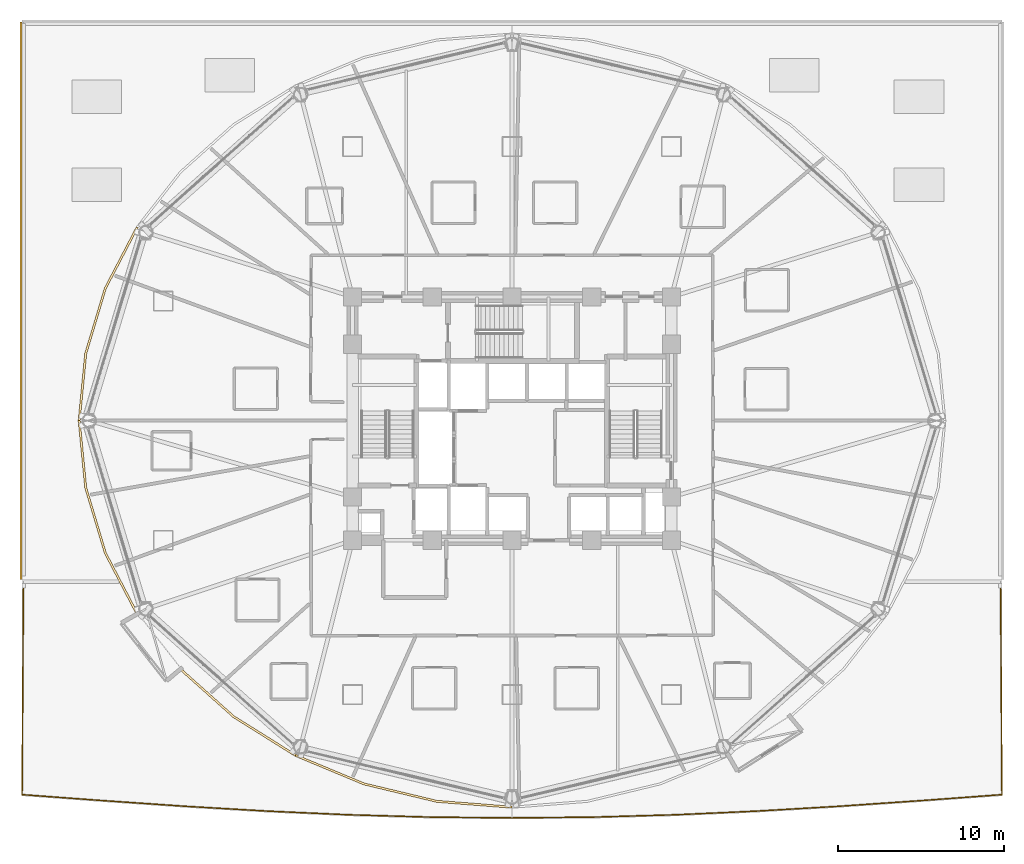
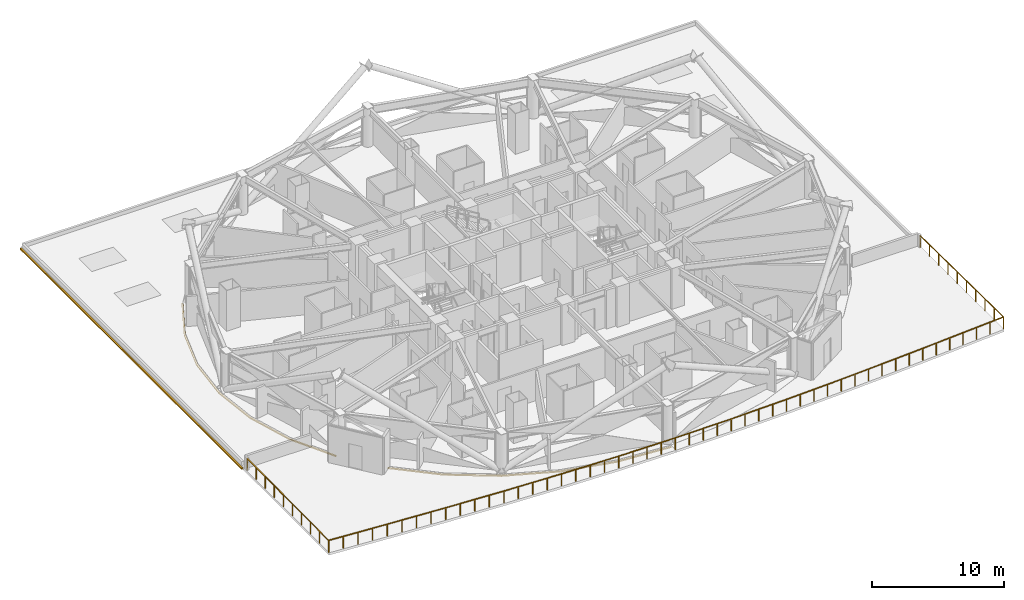
# One storey, part 24 of 27: 5 coverings, 1 railing.
"""IFC4 building model written with IfcOpenShell, lengths in metres."""

import ifcopenshell
import ifcopenshell.guid

model = None  # the IFC model being written
_history = None  # IfcOwnerHistory: only IFC2X3 demands one
_inside = {}  # id of a spatial element -> (the spatial element, [elements in it])
_under = {}  # id of a project, library or spatial element -> (it, [spatial elements below it])
_declared = {}  # id of a project -> (the project, [libraries it declares])
_typed = {}  # id of a type object -> (the type object, [elements of that type])
_made_of = {}  # id of a material, layer set ... -> (it, [elements and type objects made of it])


def new_model(schema):
    """Start an empty IFC model of exactly this schema.

    Asked for "IFC4X3", IfcOpenShell would pick the latest addendum, in which some entities
    have other attributes; the version numbers below select the first issue.
    IFC2X3 requires an IfcOwnerHistory on every rooted entity: one is made here for all.
    """
    global model, _history
    if schema == "IFC4X3":
        model = ifcopenshell.file(schema_version=(4, 3, 0, 0))
    else:
        model = ifcopenshell.file(schema=schema)
    _inside.clear()
    _under.clear()
    _declared.clear()
    _typed.clear()
    _made_of.clear()
    _history = None
    if model.schema == "IFC2X3":
        org = make("IfcOrganization", Name="unknown")
        user = make(
            "IfcPersonAndOrganization",
            ThePerson=make("IfcPerson", FamilyName="unknown"),
            TheOrganization=org,
        )
        app = make(
            "IfcApplication",
            ApplicationDeveloper=org,
            Version="unknown",
            ApplicationFullName="unknown",
            ApplicationIdentifier="unknown",
        )
        _history = make(
            "IfcOwnerHistory",
            OwningUser=user,
            OwningApplication=app,
            ChangeAction="ADDED",
            CreationDate=0,
        )
    return model


def make(cls, **values):
    """One entity of the class cls with the attributes given. An attribute that is None is left unset."""
    return model.create_entity(
        cls, **{name: value for name, value in values.items() if value is not None}
    )


def rooted(cls, **values):
    """An entity with a GlobalId (a new one), such as an element, a storey or a relation."""
    return make(cls, GlobalId=ifcopenshell.guid.new(), OwnerHistory=_history, **values)


def si_unit(unit_type, name, prefix=None):
    """IfcSIUnit, for example si_unit("LENGTHUNIT", "METRE", prefix="MILLI")."""
    return make("IfcSIUnit", UnitType=unit_type, Prefix=prefix, Name=name)


def assignment(units):
    """IfcUnitAssignment: the units of a project."""
    return None if units is None else make("IfcUnitAssignment", Units=units)


def point(xyz):
    """IfcCartesianPoint."""
    return None if xyz is None else make("IfcCartesianPoint", Coordinates=xyz)


def direction(xyz):
    """IfcDirection."""
    return None if xyz is None else make("IfcDirection", DirectionRatios=xyz)


def frame(location, z_axis=None, x_axis=None):
    """IfcAxis2Placement3D, a coordinate frame: its origin and axes. An axis left out is left unset."""
    return make(
        "IfcAxis2Placement3D",
        Location=point(location),
        Axis=direction(z_axis),
        RefDirection=direction(x_axis),
    )


def frame_2d(location, x_axis=None):
    """IfcAxis2Placement2D, a coordinate frame in the plane: its origin and x axis."""
    return make(
        "IfcAxis2Placement2D", Location=point(location), RefDirection=direction(x_axis)
    )


def origin():
    """The frame at (0, 0, 0) with its axes left unset."""
    return frame((0.0, 0.0, 0.0))


def origin_2d():
    """The frame at (0, 0) in the plane with its x axis left unset."""
    return frame_2d((0.0, 0.0))


def place(relative_to, where):
    """IfcLocalPlacement: puts the frame where relative to a parent placement (None: the world)."""
    return make(
        "IfcLocalPlacement", PlacementRelTo=relative_to, RelativePlacement=where
    )


def context(
    kind, dimensions, precision=None, world=None, true_north=None, identifier=None
):
    """IfcGeometricRepresentationContext, for example the 3D "Model" context."""
    return make(
        "IfcGeometricRepresentationContext",
        ContextIdentifier=identifier,
        ContextType=kind,
        CoordinateSpaceDimension=dimensions,
        Precision=precision,
        WorldCoordinateSystem=world,
        TrueNorth=true_north,
    )


def subcontext(parent, identifier, kind, view, scale=None):
    """IfcGeometricRepresentationSubContext, for example "Body" below "Model"."""
    return make(
        "IfcGeometricRepresentationSubContext",
        ContextIdentifier=identifier,
        ContextType=kind,
        ParentContext=parent,
        TargetScale=scale,
        TargetView=view,
    )


def project(units=None, contexts=None):
    """IfcProject with its units and contexts."""
    return rooted(
        "IfcProject",
        Name="project",
        RepresentationContexts=contexts,
        UnitsInContext=assignment(units),
    )


def spatial(cls, under=None, at=None, **own):
    """A site, building, storey or space (cls), placed at a placement, below another one or the project."""
    s = rooted(cls, ObjectPlacement=at, **own)
    if under is not None:
        _under.setdefault(under.id(), (under, []))[1].append(s)
    return s


def polyline(points):
    """IfcPolyline through the points."""
    return make("IfcPolyline", Points=[point(p) for p in points])


def profile(cls, at=None, kind="AREA", **sizes):
    """A parametric profile (cls). Its sizes go by their IFC names, for example OverallWidth=200.0."""
    return make(cls, ProfileType=kind, Position=at, **sizes)


def rectangle(**sizes):
    """IfcRectangleProfileDef."""
    return profile("IfcRectangleProfileDef", **sizes)


def outline(outer, holes=None, kind="AREA"):
    """IfcArbitraryClosedProfileDef: a profile drawn as a closed curve; with holes, ...WithVoids."""
    if holes is None:
        return make("IfcArbitraryClosedProfileDef", ProfileType=kind, OuterCurve=outer)
    return make(
        "IfcArbitraryProfileDefWithVoids",
        ProfileType=kind,
        OuterCurve=outer,
        InnerCurves=holes,
    )


def extrude(swept, where, along, depth):
    """IfcExtrudedAreaSolid: the profile swept, set in the frame where, extruded along a direction by depth."""
    return make(
        "IfcExtrudedAreaSolid",
        SweptArea=swept,
        Position=where,
        ExtrudedDirection=direction(along),
        Depth=depth,
    )


def shape(context_of_items, identifier, shape_type, items):
    """IfcShapeRepresentation: the items that make up one representation, for example the "Body"."""
    return make(
        "IfcShapeRepresentation",
        ContextOfItems=context_of_items,
        RepresentationIdentifier=identifier,
        RepresentationType=shape_type,
        Items=items,
    )


def material(Name=None, Category=None):
    """IfcMaterial."""
    return make("IfcMaterial", Name=Name, Category=Category)


def layer(
    of_material, thickness, ventilated=None, Name=None, Category=None, Priority=None
):
    """IfcMaterialLayer: one layer of a wall or slab, of a material (None: an air gap)."""
    return make(
        "IfcMaterialLayer",
        Material=of_material,
        LayerThickness=thickness,
        IsVentilated=ventilated,
        Name=Name,
        Category=Category,
        Priority=Priority,
    )


def layer_set(layers, Name=None):
    """IfcMaterialLayerSet."""
    return make("IfcMaterialLayerSet", MaterialLayers=layers, LayerSetName=Name)


def made_of(thing, what):
    """Note that an element or type object is made of a material, layer set ...; save() writes the relation."""
    if what is not None:
        _made_of.setdefault(what.id(), (what, []))[1].append(thing)
    return thing


def type_object(cls, material=None, **own):
    """A type object (cls), such as IfcWallType, which elements share."""
    return made_of(rooted(cls, **own), material)


def element(
    cls,
    number,
    at=None,
    inside=None,
    cuts=None,
    type_object=None,
    material=None,
    context=None,
    identifier="Body",
    shape_type=None,
    held_by="IfcProductDefinitionShape",
    body=None,
    shapes=None,
    **own,
):
    """One element of the class cls, such as IfcWall. Its Tag is "e" and its number.

    at: its placement. inside: the storey or other place that contains it. cuts: it is an
    opening in that element (IfcRelVoidsElement). A single representation is given by context,
    identifier, shape_type and body (its items); several are given by shapes. held_by: the class
    of the entity that holds the representations. save() writes the other relations.
    """
    e = rooted(cls, Tag="e%d" % number, ObjectPlacement=at, **own)
    if body is not None:
        shapes = [shape(context, identifier, shape_type, body)]
    if shapes is not None:
        e.Representation = make(held_by, Representations=shapes)
    if inside is not None:
        _inside.setdefault(inside.id(), (inside, []))[1].append(e)
    if cuts is not None:
        rooted(
            "IfcRelVoidsElement", RelatingBuildingElement=cuts, RelatedOpeningElement=e
        )
    if type_object is not None:
        _typed.setdefault(type_object.id(), (type_object, []))[1].append(e)
    return made_of(e, material)


def aggregate(whole, parts):
    """IfcRelAggregates: a whole, such as a stair, and the parts it consists of."""
    return rooted("IfcRelAggregates", RelatingObject=whole, RelatedObjects=parts)


def save(model, path):
    """Write the relations noted so far, then the file.

    IfcRelAggregates (storeys below a building ...), IfcRelContainedInSpatialStructure (elements
    in a storey), IfcRelDefinesByType, IfcRelAssociatesMaterial and IfcRelDeclares: one each for
    every whole, place, type object, material and project.
    """
    for whole, parts in _under.values():
        aggregate(whole, parts)
    for where, things in _inside.values():
        rooted(
            "IfcRelContainedInSpatialStructure",
            RelatedElements=things,
            RelatingStructure=where,
        )
    for kind, things in _typed.values():
        rooted("IfcRelDefinesByType", RelatedObjects=things, RelatingType=kind)
    for what, things in _made_of.values():
        rooted("IfcRelAssociatesMaterial", RelatedObjects=things, RelatingMaterial=what)
    for by, libraries in _declared.values():
        rooted("IfcRelDeclares", RelatingContext=by, RelatedDefinitions=libraries)
    model.write(path)


model = new_model("IFC4")

# Units and contexts
model_context = context("Model", 3, precision=1e-05, world=origin(), true_north=direction((0.0, 1.0)))
body_context = subcontext(model_context, "Body", "Model", "MODEL_VIEW")
ifc_project = project(units=[si_unit("LENGTHUNIT", "METRE"), si_unit("AREAUNIT", "SQUARE_METRE"), si_unit("VOLUMEUNIT", "CUBIC_METRE"), si_unit("PLANEANGLEUNIT", "RADIAN"), si_unit("MASSUNIT", "GRAM", prefix="KILO")], contexts=[model_context])

# Site, building, storey
site_placement = place(None, origin())
site = spatial("IfcSite", under=ifc_project, at=site_placement, CompositionType="ELEMENT")
building_placement = place(site_placement, origin())
building = spatial("IfcBuilding", under=site, at=building_placement, Name="Vantalir Tower", CompositionType="ELEMENT")
storey_placement = place(building_placement, frame((0.0, 0.0, 27.0)))
storey = spatial("IfcBuildingStorey", under=building, at=storey_placement, Name="L05", CompositionType="ELEMENT", Elevation=27.0)

# Coverings
ifc_material_1 = material(Name="Anodised champagne aluminium sill fascia", Category="aluminium")
ifc_layer = layer(ifc_material_1, 0.125)
ifc_layer_set = layer_set([ifc_layer], Name="Anodised champagne aluminium sill fascia")
covering_type = type_object("IfcCoveringType", Name="COV-SLAB-FASCIA-125", PredefinedType="CLADDING", material=ifc_layer_set)
covering_1_placement = place(storey_placement, frame((0.0, 0.0, -0.179931640625)))
element("IfcCovering", 1, at=covering_1_placement, inside=storey, type_object=covering_type, Name="L05 Perimeter Slab-Edge Sill Fascia 06", PredefinedType="CLADDING", context=body_context, shape_type="SweptSolid", body=[
    extrude(outline(polyline([(8.875, 36.6689453125), (6.950927734375, 32.98193359375), (5.77197265625, 29.052978515625), (5.375, 25.0), (5.5, 25.0), (5.89501953125, 29.031005859375), (7.068115234375, 32.93994140625), (8.98291015625, 36.60693359375), (8.875, 36.6689453125)])), origin(), (0.0, 0.0, 1.0), 0.10498046875),
])
covering_2_placement = place(storey_placement, frame((0.0, 0.0, -0.179931640625)))
element("IfcCovering", 2, at=covering_2_placement, inside=storey, type_object=covering_type, Name="L05 Perimeter Slab-Edge Sill Fascia 07", PredefinedType="CLADDING", context=body_context, shape_type="SweptSolid", body=[
    extrude(outline(polyline([(5.375, 25.0), (5.77197265625, 20.947021484375), (6.950927734375, 17.01806640625), (8.875, 13.330078125), (8.98291015625, 13.39306640625), (7.068115234375, 17.06005859375), (5.89501953125, 20.968994140625), (5.5, 25.0), (5.375, 25.0)])), origin(), (0.0, 0.0, 1.0), 0.10498046875),
])
covering_3_placement = place(storey_placement, frame((0.0, 0.0, -0.179931640625)))
element("IfcCovering", 3, at=covering_3_placement, inside=storey, type_object=covering_type, Name="L05 Perimeter Slab-Edge Sill Fascia 08", PredefinedType="CLADDING", context=body_context, shape_type="SweptSolid", body=[
    extrude(outline(polyline([(11.487060546875, 9.998046875), (14.70703125, 7.12109375), (18.43701171875, 4.7880859375), (18.5, 4.89599609375), (14.7880859375, 7.217041015625), (11.5830078125, 10.077880859375), (11.487060546875, 9.998046875)])), origin(), (0.0, 0.0, 1.0), 0.10498046875),
])
covering_4_placement = place(storey_placement, frame((0.0, 0.0, -0.179931640625)))
element("IfcCovering", 4, at=covering_4_placement, inside=storey, type_object=covering_type, Name="L05 Perimeter Slab-Edge Sill Fascia 09", PredefinedType="CLADDING", context=body_context, shape_type="SweptSolid", body=[
    extrude(outline(polyline([(18.43701171875, 4.7880859375), (22.56494140625, 3.069091796875), (26.962890625, 2.01611328125), (31.5, 1.660888671875), (31.5, 1.785888671875), (26.985107421875, 2.138916015625), (22.60693359375, 3.18603515625), (18.5, 4.89599609375), (18.43701171875, 4.7880859375)])), origin(), (0.0, 0.0, 1.0), 0.10498046875),
])
covering_5_placement = place(storey_placement, frame((0.0, 0.0, -0.179931640625)))
element("IfcCovering", 5, at=covering_5_placement, inside=storey, type_object=covering_type, Name="L05 Unoccupied Roof Slab-Edge Fascia W", PredefinedType="CLADDING", context=body_context, shape_type="SweptSolid", body=[
    extrude(outline(polyline([(1.875, 15.449951171875), (2.0, 15.449951171875), (2.0, 49.0), (1.875, 49.0), (1.875, 15.449951171875)])), origin(), (0.0, 0.0, 1.0), 0.125),
])

# Railing
ifc_material_2 = material(Name="Anodised aluminium and stainless steel guard", Category="steel")
railing_type = type_object("IfcRailingType", Name="RAL-GUARD-1120", PredefinedType="GUARDRAIL", material=ifc_material_2)
railing_placement = place(storey_placement, frame((2.080078125, 14.949951171875, 0.0)))
element("IfcRailing", 6, at=railing_placement, inside=storey, type_object=railing_type, Name="L05 South Waterfront Terrace Perimeter Guardrail", PredefinedType="GUARDRAIL", context=body_context, shape_type="SweptSolid", body=[
    extrude(rectangle(XDim=0.048095703125, YDim=0.048095703125, at=origin_2d()), frame((0.0, 0.0, 1.09619140625), z_axis=(-0.006421544672, -0.999979381669, 0.0), x_axis=(0.999979381669, -0.006421544672, 0.0)), (0.0, 0.0, 1.0), 12.47021484375),
    extrude(rectangle(XDim=0.048095703125, YDim=0.048095703125, at=origin_2d()), frame((-0.080078125, -12.469970703125, 1.09619140625), z_axis=(0.997299950827, -0.073435741166, 0.0), x_axis=(0.073435741166, 0.997299950827, 0.0)), (0.0, 0.0, 1.0), 4.930419921875),
    extrude(rectangle(XDim=0.048095703125, YDim=0.048095703125, at=origin_2d()), frame((4.8369140625, -12.83203125, 1.09619140625), z_axis=(0.997646249964, -0.068570838794, 0.0), x_axis=(0.068570838794, 0.997646249964, 0.0)), (0.0, 0.0, 1.0), 4.927734375),
    extrude(rectangle(XDim=0.048095703125, YDim=0.048095703125, at=origin_2d()), frame((9.7529296875, -13.169921875, 1.09619140625), z_axis=(0.998264788495, -0.05888473529, 0.0), x_axis=(0.05888473529, 0.998264788495, 0.0)), (0.0, 0.0, 1.0), 4.925537109375),
    extrude(rectangle(XDim=0.048095703125, YDim=0.048095703125, at=origin_2d()), frame((14.669921875, -13.4599609375, 1.09619140625), z_axis=(0.998983011747, -0.045088160759, 0.0), x_axis=(0.045088160759, 0.998983011747, 0.0)), (0.0, 0.0, 1.0), 4.922119140625),
    extrude(rectangle(XDim=0.048095703125, YDim=0.048095703125, at=origin_2d()), frame((19.5869140625, -13.681884765625, 1.09619140625), z_axis=(0.999593946927, -0.028494583112, 0.0), x_axis=(0.028494583112, 0.999593946927, 0.0)), (0.0, 0.0, 1.0), 4.91796875),
    extrude(rectangle(XDim=0.048095703125, YDim=0.048095703125, at=origin_2d()), frame((24.5029296875, -13.822021484375, 1.09619140625), z_axis=(0.99995264865, -0.009731416044, 0.0), x_axis=(0.009731416044, 0.99995264865, 0.0)), (0.0, 0.0, 1.0), 4.917236328125),
    extrude(rectangle(XDim=0.048095703125, YDim=0.048095703125, at=origin_2d()), frame((29.419921875, -13.869873046875, 1.09619140625), z_axis=(0.99995264865, 0.009731416044, 0.0), x_axis=(-0.009731416044, 0.99995264865, 0.0)), (0.0, 0.0, 1.0), 4.917236328125),
    extrude(rectangle(XDim=0.048095703125, YDim=0.048095703125, at=origin_2d()), frame((34.3369140625, -13.822021484375, 1.09619140625), z_axis=(0.999593946927, 0.028494583112, 0.0), x_axis=(-0.028494583112, 0.999593946927, 0.0)), (0.0, 0.0, 1.0), 4.91796875),
    extrude(rectangle(XDim=0.048095703125, YDim=0.048095703125, at=origin_2d()), frame((39.2529296875, -13.681884765625, 1.09619140625), z_axis=(0.998983011747, 0.045088160759, 0.0), x_axis=(-0.045088160759, 0.998983011747, 0.0)), (0.0, 0.0, 1.0), 4.922119140625),
    extrude(rectangle(XDim=0.048095703125, YDim=0.048095703125, at=origin_2d()), frame((44.169921875, -13.4599609375, 1.09619140625), z_axis=(0.998264788495, 0.05888473529, 0.0), x_axis=(-0.05888473529, 0.998264788495, 0.0)), (0.0, 0.0, 1.0), 4.925537109375),
    extrude(rectangle(XDim=0.048095703125, YDim=0.048095703125, at=origin_2d()), frame((49.0869140625, -13.169921875, 1.09619140625), z_axis=(0.997646249964, 0.068570838794, 0.0), x_axis=(-0.068570838794, 0.997646249964, 0.0)), (0.0, 0.0, 1.0), 4.927734375),
    extrude(rectangle(XDim=0.048095703125, YDim=0.048095703125, at=origin_2d()), frame((54.0029296875, -12.83203125, 1.09619140625), z_axis=(0.997299950827, 0.073435741166, 0.0), x_axis=(-0.073435741166, 0.997299950827, 0.0)), (0.0, 0.0, 1.0), 4.930419921875),
    extrude(rectangle(XDim=0.048095703125, YDim=0.048095703125, at=origin_2d()), frame((58.919921875, -12.469970703125, 1.09619140625), z_axis=(-0.006421544672, 0.999979381669, 0.0), x_axis=(-0.999979381669, -0.006421544672, 0.0)), (0.0, 0.0, 1.0), 12.47021484375),
    extrude(rectangle(XDim=0.0419921875, YDim=0.0419921875, at=origin_2d()), origin(), (0.0, 0.0, 1.0), 1.072021484375),
    extrude(rectangle(XDim=0.0419921875, YDim=0.0419921875, at=origin_2d()), frame((-0.0087890625, -1.385498046875, 0.0)), (0.0, 0.0, 1.0), 1.072021484375),
    extrude(rectangle(XDim=0.0419921875, YDim=0.0419921875, at=origin_2d()), frame((-0.017822265625, -2.77099609375, 0.0)), (0.0, 0.0, 1.0), 1.072021484375),
    extrude(rectangle(XDim=0.0419921875, YDim=0.0419921875, at=origin_2d()), frame((-0.026611328125, -4.15673828125, 0.0)), (0.0, 0.0, 1.0), 1.072021484375),
    extrude(rectangle(XDim=0.0419921875, YDim=0.0419921875, at=origin_2d()), frame((-0.03564453125, -5.542236328125, 0.0)), (0.0, 0.0, 1.0), 1.072021484375),
    extrude(rectangle(XDim=0.0419921875, YDim=0.0419921875, at=origin_2d()), frame((-0.04443359375, -6.927734375, 0.0)), (0.0, 0.0, 1.0), 1.072021484375),
    extrude(rectangle(XDim=0.0419921875, YDim=0.0419921875, at=origin_2d()), frame((-0.053466796875, -8.313232421875, 0.0)), (0.0, 0.0, 1.0), 1.072021484375),
    extrude(rectangle(XDim=0.0419921875, YDim=0.0419921875, at=origin_2d()), frame((-0.062255859375, -9.698974609375, 0.0)), (0.0, 0.0, 1.0), 1.072021484375),
    extrude(rectangle(XDim=0.0419921875, YDim=0.0419921875, at=origin_2d()), frame((-0.0712890625, -11.08447265625, 0.0)), (0.0, 0.0, 1.0), 1.072021484375),
    extrude(rectangle(XDim=0.0419921875, YDim=0.0419921875, at=origin_2d()), frame((-0.080078125, -12.469970703125, 0.0)), (0.0, 0.0, 1.0), 1.072021484375),
    extrude(rectangle(XDim=0.0419921875, YDim=0.0419921875, at=origin_2d()), frame((1.149169921875, -12.560546875, 0.0)), (0.0, 0.0, 1.0), 1.072021484375),
    extrude(rectangle(XDim=0.0419921875, YDim=0.0419921875, at=origin_2d()), frame((2.37841796875, -12.65087890625, 0.0)), (0.0, 0.0, 1.0), 1.072021484375),
    extrude(rectangle(XDim=0.0419921875, YDim=0.0419921875, at=origin_2d()), frame((3.607666015625, -12.741455078125, 0.0)), (0.0, 0.0, 1.0), 1.072021484375),
    extrude(rectangle(XDim=0.0419921875, YDim=0.0419921875, at=origin_2d()), frame((4.8369140625, -12.83203125, 0.0)), (0.0, 0.0, 1.0), 1.072021484375),
    extrude(rectangle(XDim=0.0419921875, YDim=0.0419921875, at=origin_2d()), frame((6.06591796875, -12.91650390625, 0.0)), (0.0, 0.0, 1.0), 1.072021484375),
    extrude(rectangle(XDim=0.0419921875, YDim=0.0419921875, at=origin_2d()), frame((7.294921875, -13.0009765625, 0.0)), (0.0, 0.0, 1.0), 1.072021484375),
    extrude(rectangle(XDim=0.0419921875, YDim=0.0419921875, at=origin_2d()), frame((8.52392578125, -13.08544921875, 0.0)), (0.0, 0.0, 1.0), 1.072021484375),
    extrude(rectangle(XDim=0.0419921875, YDim=0.0419921875, at=origin_2d()), frame((9.7529296875, -13.169921875, 0.0)), (0.0, 0.0, 1.0), 1.072021484375),
    extrude(rectangle(XDim=0.0419921875, YDim=0.0419921875, at=origin_2d()), frame((10.982177734375, -13.242431640625, 0.0)), (0.0, 0.0, 1.0), 1.072021484375),
    extrude(rectangle(XDim=0.0419921875, YDim=0.0419921875, at=origin_2d()), frame((12.21142578125, -13.31494140625, 0.0)), (0.0, 0.0, 1.0), 1.072021484375),
    extrude(rectangle(XDim=0.0419921875, YDim=0.0419921875, at=origin_2d()), frame((13.440673828125, -13.387451171875, 0.0)), (0.0, 0.0, 1.0), 1.072021484375),
    extrude(rectangle(XDim=0.0419921875, YDim=0.0419921875, at=origin_2d()), frame((14.669921875, -13.4599609375, 0.0)), (0.0, 0.0, 1.0), 1.072021484375),
    extrude(rectangle(XDim=0.0419921875, YDim=0.0419921875, at=origin_2d()), frame((15.899169921875, -13.515380859375, 0.0)), (0.0, 0.0, 1.0), 1.072021484375),
    extrude(rectangle(XDim=0.0419921875, YDim=0.0419921875, at=origin_2d()), frame((17.12841796875, -13.57080078125, 0.0)), (0.0, 0.0, 1.0), 1.072021484375),
    extrude(rectangle(XDim=0.0419921875, YDim=0.0419921875, at=origin_2d()), frame((18.357666015625, -13.62646484375, 0.0)), (0.0, 0.0, 1.0), 1.072021484375),
    extrude(rectangle(XDim=0.0419921875, YDim=0.0419921875, at=origin_2d()), frame((19.5869140625, -13.681884765625, 0.0)), (0.0, 0.0, 1.0), 1.072021484375),
    extrude(rectangle(XDim=0.0419921875, YDim=0.0419921875, at=origin_2d()), frame((20.81591796875, -13.716796875, 0.0)), (0.0, 0.0, 1.0), 1.072021484375),
    extrude(rectangle(XDim=0.0419921875, YDim=0.0419921875, at=origin_2d()), frame((22.044921875, -13.751953125, 0.0)), (0.0, 0.0, 1.0), 1.072021484375),
    extrude(rectangle(XDim=0.0419921875, YDim=0.0419921875, at=origin_2d()), frame((23.27392578125, -13.787109375, 0.0)), (0.0, 0.0, 1.0), 1.072021484375),
    extrude(rectangle(XDim=0.0419921875, YDim=0.0419921875, at=origin_2d()), frame((24.5029296875, -13.822021484375, 0.0)), (0.0, 0.0, 1.0), 1.072021484375),
    extrude(rectangle(XDim=0.0419921875, YDim=0.0419921875, at=origin_2d()), frame((25.732177734375, -13.833984375, 0.0)), (0.0, 0.0, 1.0), 1.072021484375),
    extrude(rectangle(XDim=0.0419921875, YDim=0.0419921875, at=origin_2d()), frame((26.96142578125, -13.845947265625, 0.0)), (0.0, 0.0, 1.0), 1.072021484375),
    extrude(rectangle(XDim=0.0419921875, YDim=0.0419921875, at=origin_2d()), frame((28.190673828125, -13.85791015625, 0.0)), (0.0, 0.0, 1.0), 1.072021484375),
    extrude(rectangle(XDim=0.0419921875, YDim=0.0419921875, at=origin_2d()), frame((29.419921875, -13.869873046875, 0.0)), (0.0, 0.0, 1.0), 1.072021484375),
    extrude(rectangle(XDim=0.0419921875, YDim=0.0419921875, at=origin_2d()), frame((30.649169921875, -13.85791015625, 0.0)), (0.0, 0.0, 1.0), 1.072021484375),
    extrude(rectangle(XDim=0.0419921875, YDim=0.0419921875, at=origin_2d()), frame((31.87841796875, -13.845947265625, 0.0)), (0.0, 0.0, 1.0), 1.072021484375),
    extrude(rectangle(XDim=0.0419921875, YDim=0.0419921875, at=origin_2d()), frame((33.107666015625, -13.833984375, 0.0)), (0.0, 0.0, 1.0), 1.072021484375),
    extrude(rectangle(XDim=0.0419921875, YDim=0.0419921875, at=origin_2d()), frame((34.3369140625, -13.822021484375, 0.0)), (0.0, 0.0, 1.0), 1.072021484375),
    extrude(rectangle(XDim=0.0419921875, YDim=0.0419921875, at=origin_2d()), frame((35.56591796875, -13.787109375, 0.0)), (0.0, 0.0, 1.0), 1.072021484375),
    extrude(rectangle(XDim=0.0419921875, YDim=0.0419921875, at=origin_2d()), frame((36.794921875, -13.751953125, 0.0)), (0.0, 0.0, 1.0), 1.072021484375),
    extrude(rectangle(XDim=0.0419921875, YDim=0.0419921875, at=origin_2d()), frame((38.02392578125, -13.716796875, 0.0)), (0.0, 0.0, 1.0), 1.072021484375),
    extrude(rectangle(XDim=0.0419921875, YDim=0.0419921875, at=origin_2d()), frame((39.2529296875, -13.681884765625, 0.0)), (0.0, 0.0, 1.0), 1.072021484375),
    extrude(rectangle(XDim=0.0419921875, YDim=0.0419921875, at=origin_2d()), frame((40.482177734375, -13.62646484375, 0.0)), (0.0, 0.0, 1.0), 1.072021484375),
    extrude(rectangle(XDim=0.0419921875, YDim=0.0419921875, at=origin_2d()), frame((41.71142578125, -13.57080078125, 0.0)), (0.0, 0.0, 1.0), 1.072021484375),
    extrude(rectangle(XDim=0.0419921875, YDim=0.0419921875, at=origin_2d()), frame((42.940673828125, -13.515380859375, 0.0)), (0.0, 0.0, 1.0), 1.072021484375),
    extrude(rectangle(XDim=0.0419921875, YDim=0.0419921875, at=origin_2d()), frame((44.169921875, -13.4599609375, 0.0)), (0.0, 0.0, 1.0), 1.072021484375),
    extrude(rectangle(XDim=0.0419921875, YDim=0.0419921875, at=origin_2d()), frame((45.399169921875, -13.387451171875, 0.0)), (0.0, 0.0, 1.0), 1.072021484375),
    extrude(rectangle(XDim=0.0419921875, YDim=0.0419921875, at=origin_2d()), frame((46.62841796875, -13.31494140625, 0.0)), (0.0, 0.0, 1.0), 1.072021484375),
    extrude(rectangle(XDim=0.0419921875, YDim=0.0419921875, at=origin_2d()), frame((47.857666015625, -13.242431640625, 0.0)), (0.0, 0.0, 1.0), 1.072021484375),
    extrude(rectangle(XDim=0.0419921875, YDim=0.0419921875, at=origin_2d()), frame((49.0869140625, -13.169921875, 0.0)), (0.0, 0.0, 1.0), 1.072021484375),
    extrude(rectangle(XDim=0.0419921875, YDim=0.0419921875, at=origin_2d()), frame((50.31591796875, -13.08544921875, 0.0)), (0.0, 0.0, 1.0), 1.072021484375),
    extrude(rectangle(XDim=0.0419921875, YDim=0.0419921875, at=origin_2d()), frame((51.544921875, -13.0009765625, 0.0)), (0.0, 0.0, 1.0), 1.072021484375),
    extrude(rectangle(XDim=0.0419921875, YDim=0.0419921875, at=origin_2d()), frame((52.77392578125, -12.91650390625, 0.0)), (0.0, 0.0, 1.0), 1.072021484375),
    extrude(rectangle(XDim=0.0419921875, YDim=0.0419921875, at=origin_2d()), frame((54.0029296875, -12.83203125, 0.0)), (0.0, 0.0, 1.0), 1.072021484375),
    extrude(rectangle(XDim=0.0419921875, YDim=0.0419921875, at=origin_2d()), frame((55.232177734375, -12.741455078125, 0.0)), (0.0, 0.0, 1.0), 1.072021484375),
    extrude(rectangle(XDim=0.0419921875, YDim=0.0419921875, at=origin_2d()), frame((56.46142578125, -12.65087890625, 0.0)), (0.0, 0.0, 1.0), 1.072021484375),
    extrude(rectangle(XDim=0.0419921875, YDim=0.0419921875, at=origin_2d()), frame((57.690673828125, -12.560546875, 0.0)), (0.0, 0.0, 1.0), 1.072021484375),
    extrude(rectangle(XDim=0.0419921875, YDim=0.0419921875, at=origin_2d()), frame((58.919921875, -12.469970703125, 0.0)), (0.0, 0.0, 1.0), 1.072021484375),
    extrude(rectangle(XDim=0.0419921875, YDim=0.0419921875, at=origin_2d()), frame((58.9111328125, -11.08447265625, 0.0)), (0.0, 0.0, 1.0), 1.072021484375),
    extrude(rectangle(XDim=0.0419921875, YDim=0.0419921875, at=origin_2d()), frame((58.902099609375, -9.698974609375, 0.0)), (0.0, 0.0, 1.0), 1.072021484375),
    extrude(rectangle(XDim=0.0419921875, YDim=0.0419921875, at=origin_2d()), frame((58.893310546875, -8.313232421875, 0.0)), (0.0, 0.0, 1.0), 1.072021484375),
    extrude(rectangle(XDim=0.0419921875, YDim=0.0419921875, at=origin_2d()), frame((58.88427734375, -6.927734375, 0.0)), (0.0, 0.0, 1.0), 1.072021484375),
    extrude(rectangle(XDim=0.0419921875, YDim=0.0419921875, at=origin_2d()), frame((58.87548828125, -5.542236328125, 0.0)), (0.0, 0.0, 1.0), 1.072021484375),
    extrude(rectangle(XDim=0.0419921875, YDim=0.0419921875, at=origin_2d()), frame((58.866455078125, -4.15673828125, 0.0)), (0.0, 0.0, 1.0), 1.072021484375),
    extrude(rectangle(XDim=0.0419921875, YDim=0.0419921875, at=origin_2d()), frame((58.857666015625, -2.77099609375, 0.0)), (0.0, 0.0, 1.0), 1.072021484375),
    extrude(rectangle(XDim=0.0419921875, YDim=0.0419921875, at=origin_2d()), frame((58.8486328125, -1.385498046875, 0.0)), (0.0, 0.0, 1.0), 1.072021484375),
    extrude(rectangle(XDim=0.0419921875, YDim=0.0419921875, at=origin_2d()), frame((58.83984375, 0.0, 0.0)), (0.0, 0.0, 1.0), 1.072021484375),
])

save(model, "model.ifc")
